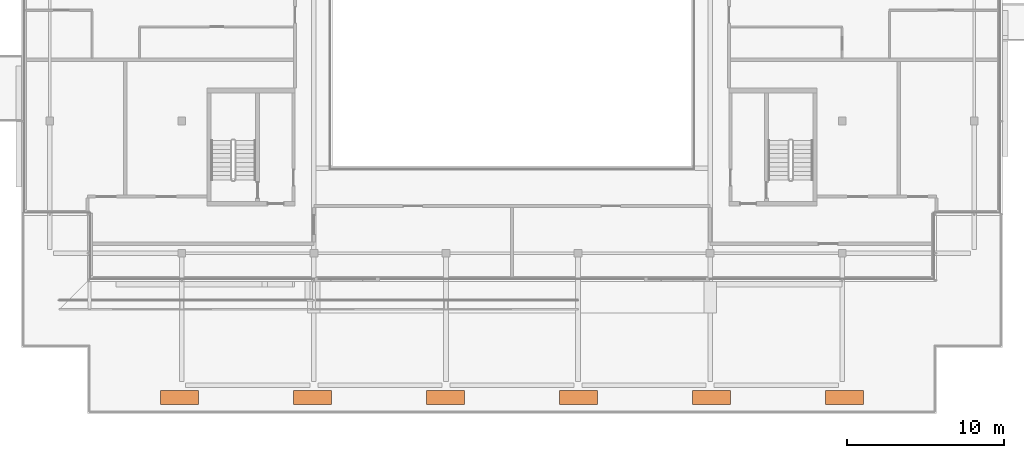
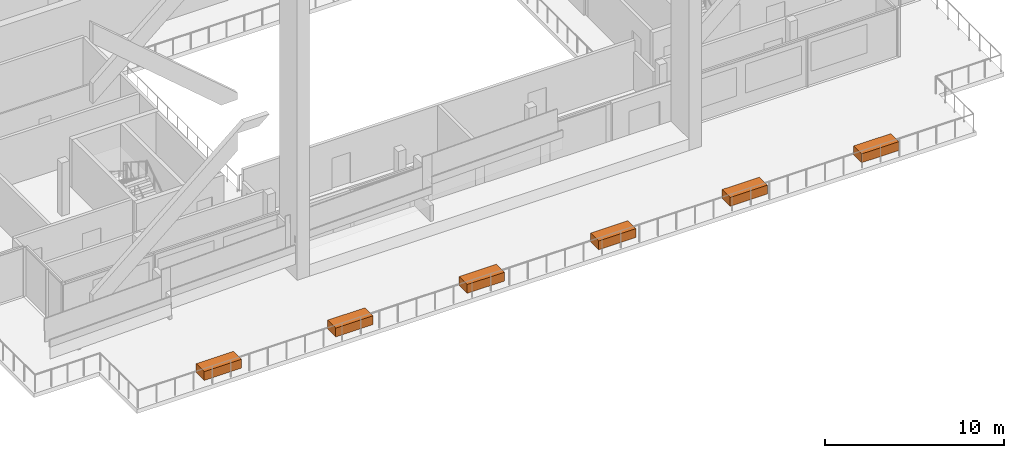
# One storey, part 22 of 22: 6 proxies.
"""IFC4 building model written with IfcOpenShell, lengths in metres."""

from ifc_helpers import new_model, si_unit, direction, frame, origin, origin_2d, place, context, subcontext, project, spatial, rectangle, extrude, element, save


model = new_model("IFC4")

# Units and contexts
model_context = context("Model", 3, precision=1e-05, world=origin(), true_north=direction((0.0, 1.0)))
body_context = subcontext(model_context, "Body", "Model", "MODEL_VIEW")
ifc_project = project(units=[si_unit("LENGTHUNIT", "METRE"), si_unit("AREAUNIT", "SQUARE_METRE"), si_unit("VOLUMEUNIT", "CUBIC_METRE"), si_unit("PLANEANGLEUNIT", "RADIAN"), si_unit("MASSUNIT", "GRAM", prefix="KILO")], contexts=[model_context])

# Site, building, storey
site_placement = place(None, origin())
site = spatial("IfcSite", under=ifc_project, at=site_placement, CompositionType="ELEMENT")
building_placement = place(site_placement, origin())
building = spatial("IfcBuilding", under=site, at=building_placement, Name="Saffron Gate Tower", CompositionType="ELEMENT")
storey_placement = place(building_placement, frame((0.0, 0.0, 285.14990234375)))
storey = spatial("IfcBuildingStorey", under=building, at=storey_placement, Name="L69", CompositionType="ELEMENT", Elevation=285.14990234375)

# Proxies
for number, where, z_axis, x_axis, name in (
    (1, (66.449951171875, 31.02001953125, 0.0), (0.0, 0.0, 1.0), (1.0, 0.0, 0.0), "PLANTER terrace"),
    (2, (74.909912109375, 31.02001953125, 0.0), (0.0, 0.0, 1.0), (1.0, 0.0, 0.0), "PLANTER terrace"),
    (3, (83.3701171875, 31.02001953125, 0.0), (0.0, 0.0, 1.0), (1.0, 0.0, 0.0), "PLANTER terrace"),
    (4, (91.830078125, 31.02001953125, 0.0), (0.0, 0.0, 1.0), (1.0, 0.0, 0.0), "PLANTER terrace"),
    (5, (100.2900390625, 31.02001953125, 0.0), (0.0, 0.0, 1.0), (1.0, 0.0, 0.0), "PLANTER terrace"),
    (6, (108.75, 31.02001953125, 0.0), (0.0, 0.0, 1.0), (1.0, 0.0, 0.0), "PLANTER terrace"),
):
    element("IfcBuildingElementProxy", number, at=place(storey_placement, frame(where, z_axis=z_axis, x_axis=x_axis)), inside=storey, Name=name, ObjectType="PLANTER", PredefinedType="USERDEFINED", context=body_context, shape_type="SweptSolid", body=[
        extrude(rectangle(XDim=2.39990234375, YDim=0.89990234375, at=origin_2d()), origin(), (0.0, 0.0, 1.0), 0.60009765625),
    ])

save(model, "model.ifc")
